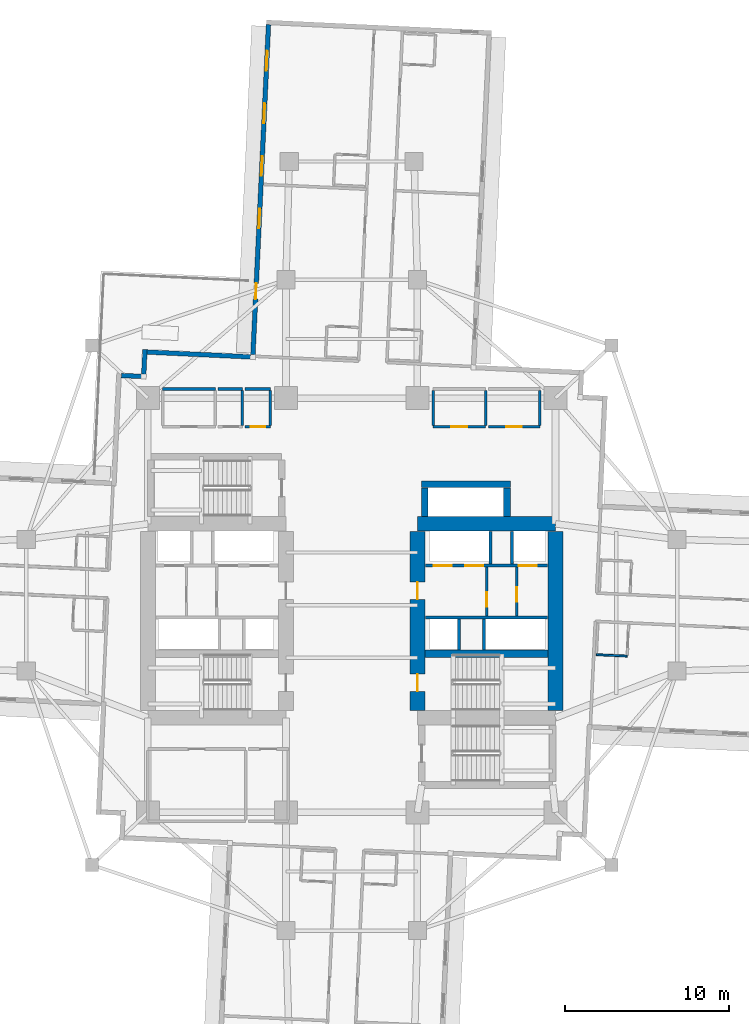
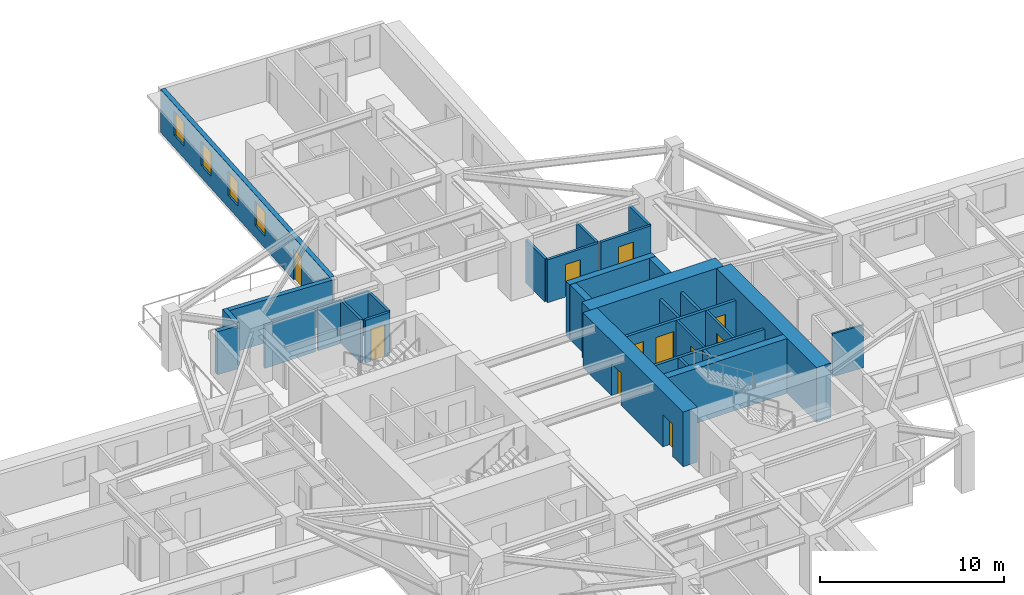
# One storey, part 6 of 13: 31 walls, 11 doors, 4 windows, 15 openings.
"""IFC4 building model written with IfcOpenShell, lengths in metres."""

from ifc_helpers import new_model, si_unit, direction, frame, frame_2d, origin, place, context, subcontext, project, spatial, rectangle, extrude, material, layer, layer_set, type_object, element, fill, save


model = new_model("IFC4")

# Units and contexts
model_context = context("Model", 3, precision=1e-05, world=origin(), true_north=direction((0.0, 1.0)))
body_context = subcontext(model_context, "Body", "Model", "MODEL_VIEW")
ifc_project = project(units=[si_unit("LENGTHUNIT", "METRE"), si_unit("AREAUNIT", "SQUARE_METRE"), si_unit("VOLUMEUNIT", "CUBIC_METRE"), si_unit("PLANEANGLEUNIT", "RADIAN"), si_unit("MASSUNIT", "GRAM", prefix="KILO")], contexts=[model_context])

# Site, building, storey
site_placement = place(None, origin())
site = spatial("IfcSite", under=ifc_project, at=site_placement, CompositionType="ELEMENT")
building_placement = place(site_placement, origin())
building = spatial("IfcBuilding", under=site, at=building_placement, Name="Qingluan Cross Belvedere", CompositionType="ELEMENT")
storey_placement = place(building_placement, frame((0.0, 0.0, 91.199951171875)))
storey = spatial("IfcBuildingStorey", under=building, at=storey_placement, Name="L23", CompositionType="ELEMENT", Elevation=91.199951171875)

# Walls
ifc_material_1 = material(Name="Concrete C50", Category="concrete")
ifc_layer_1 = layer(ifc_material_1, 0.449951171875, Name="CoreShearWall_450")
ifc_layer_set_1 = layer_set([ifc_layer_1], Name="Concrete C50")
wall_type_1 = type_object("IfcWallType", Name="CoreShearWall_450", PredefinedType="SHEAR", material=ifc_layer_set_1)
wall_1_placement = place(storey_placement, frame((4.455078125, -2.9599609375, 0.0), z_axis=(0.0, 0.0, 1.0), x_axis=(1.0, 0.0, 0.0)))
element("IfcWall", 1, at=wall_1_placement, inside=storey, type_object=wall_type_1, Name="Split core E shear wall L23-M", PredefinedType="SHEAR", context=body_context, shape_type="SweptSolid", body=[
    extrude(rectangle(XDim=7.489990234375, YDim=0.449951171875, at=frame_2d((3.7451171875, 0.0))), origin(), (0.0, 0.0, 1.0), 3.650146484375),
])
wall_2_placement = place(storey_placement, frame((4.449951171875, 5.405029296875, 0.0), z_axis=(0.0, 0.0, 1.0), x_axis=(0.0, 1.0, 0.0)))
element("IfcWall", 2, at=wall_2_placement, inside=storey, type_object=wall_type_1, Name="Express shuttle core wall L23-W", PredefinedType="SHEAR", context=body_context, shape_type="SweptSolid", body=[
    extrude(rectangle(XDim=1.73486328125, YDim=0.39990234375, at=frame_2d((0.867431640625, 0.0))), origin(), (0.0, 0.0, 1.0), 3.650146484375),
])
wall_3_placement = place(storey_placement, frame((4.25, 7.35009765625, 0.0), z_axis=(0.0, 0.0, 1.0), x_axis=(1.0, 0.0, 0.0)))
element("IfcWall", 3, at=wall_3_placement, inside=storey, type_object=wall_type_1, Name="Express shuttle core wall L23-N", PredefinedType="SHEAR", context=body_context, shape_type="SweptSolid", body=[
    extrude(rectangle(XDim=5.39990234375, YDim=0.39990234375, at=frame_2d((2.699951171875, 0.0))), origin(), (0.0, 0.0, 1.0), 3.650146484375),
])
wall_4_placement = place(storey_placement, frame((9.449951171875, 5.405029296875, 0.0), z_axis=(0.0, 0.0, 1.0), x_axis=(0.0, 1.0, 0.0)))
element("IfcWall", 4, at=wall_4_placement, inside=storey, type_object=wall_type_1, Name="Express shuttle core wall L23-E", PredefinedType="SHEAR", context=body_context, shape_type="SweptSolid", body=[
    extrude(rectangle(XDim=1.73486328125, YDim=0.39990234375, at=frame_2d((0.867431640625, 0.0))), origin(), (0.0, 0.0, 1.0), 3.650146484375),
])
ifc_material_2 = material(Name="Concrete C70", Category="concrete")
ifc_layer_2 = layer(ifc_material_2, 0.89990234375, Name="CoreShearWall_900")
ifc_layer_set_2 = layer_set([ifc_layer_2], Name="Concrete C70")
wall_type_2 = type_object("IfcWallType", Name="CoreShearWall_900", PredefinedType="SHEAR", material=ifc_layer_set_2)
wall_5_placement = place(storey_placement, frame((4.0, 4.949951171875, 0.0), z_axis=(0.0, 0.0, 1.0), x_axis=(1.0, 0.0, 0.0)))
element("IfcWall", 5, at=wall_5_placement, inside=storey, type_object=wall_type_2, Name="Split core E shear wall L23-N", PredefinedType="SHEAR", context=body_context, shape_type="SweptSolid", body=[
    extrude(rectangle(XDim=8.39990234375, YDim=0.89990234375, at=frame_2d((4.199951171875, 0.0))), origin(), (0.0, 0.0, 1.0), 3.650146484375),
])

# Wall, openings, doors
wall_6_placement = place(storey_placement, frame((4.0, -6.39501953125, 0.0), z_axis=(0.0, 0.0, 1.0), x_axis=(0.0, 1.0, 0.0)))
wall_6 = element("IfcWall", 6, at=wall_6_placement, inside=storey, type_object=wall_type_2, Name="Split core E shear wall L23-W", PredefinedType="SHEAR", context=body_context, shape_type="SweptSolid", body=[
    extrude(rectangle(XDim=10.89013671875, YDim=0.89990234375, at=frame_2d((5.445068359375, 0.0))), origin(), (0.0, 0.0, 1.0), 3.650146484375),
])
opening_1_placement = place(wall_6_placement, frame((1.14501953125, 0.0, 0.0)))
opening_1 = element("IfcOpeningElement", 7, at=opening_1_placement, cuts=wall_6, Name="Opening FD-B11", PredefinedType="OPENING", context=body_context, shape_type="SweptSolid", body=[
    extrude(rectangle(XDim=1.050048828125, YDim=2.14990234375, at=frame_2d((0.52490234375, 1.074951171875))), frame((0.0, 0.4599609375, 0.0), z_axis=(0.0, -1.0, 0.0), x_axis=(1.0, 0.0, 0.0)), (0.0, 0.0, 1.0), 0.919921875),
])
opening_2_placement = place(wall_6_placement, frame((6.7451171875, 0.0, 0.0)))
opening_2 = element("IfcOpeningElement", 8, at=opening_2_placement, cuts=wall_6, Name="Opening FD-B11", PredefinedType="OPENING", context=body_context, shape_type="SweptSolid", body=[
    extrude(rectangle(XDim=1.050048828125, YDim=2.14990234375, at=frame_2d((0.52490234375, 1.074951171875))), frame((0.0, 0.4599609375, 0.0), z_axis=(0.0, -1.0, 0.0), x_axis=(1.0, 0.0, 0.0)), (0.0, 0.0, 1.0), 0.919921875),
])
ifc_material_3 = material(Name="Steel Class B smoke-seal fire door", Category="steel")
door_type_1 = type_object("IfcDoorType", Name="StairLobbyFireDoor_FDB", OperationType="NOTDEFINED", PredefinedType="DOOR", material=ifc_material_3)
door_1_placement = place(opening_1_placement, origin())
door_1 = element("IfcDoor", 9, at=door_1_placement, inside=storey, type_object=door_type_1, Name="Smoke-proof stair ST2 fire door L23", OperationType="SINGLE_SWING_LEFT", OverallHeight=2.14990234375, OverallWidth=1.050048828125, PredefinedType="DOOR", context=body_context, shape_type="SweptSolid", body=[
    extrude(rectangle(XDim=1.050048828125, YDim=2.14990234375, at=frame_2d((0.52490234375, 1.074951171875))), frame((0.0, 0.02490234375, 0.0), z_axis=(0.0, -1.0, 0.0), x_axis=(1.0, 0.0, 0.0)), (0.0, 0.0, 1.0), 0.050048828125),
])
fill(opening_1, door_1)
door_2_placement = place(opening_2_placement, origin())
door_2 = element("IfcDoor", 10, at=door_2_placement, inside=storey, type_object=door_type_1, Name="Firefighting lobby East fire door L23", OperationType="SINGLE_SWING_LEFT", OverallHeight=2.14990234375, OverallWidth=1.050048828125, PredefinedType="DOOR", context=body_context, shape_type="SweptSolid", body=[
    extrude(rectangle(XDim=1.050048828125, YDim=2.14990234375, at=frame_2d((0.52490234375, 1.074951171875))), frame((0.0, 0.02490234375, 0.0), z_axis=(0.0, -1.0, 0.0), x_axis=(1.0, 0.0, 0.0)), (0.0, 0.0, 1.0), 0.050048828125),
])
fill(opening_2, door_2)

# Wall
wall_7_placement = place(storey_placement, frame((12.39990234375, -6.39501953125, 0.0), z_axis=(0.0, 0.0, 1.0), x_axis=(0.0, 1.0, 0.0)))
element("IfcWall", 11, at=wall_7_placement, inside=storey, type_object=wall_type_2, Name="Split core E shear wall L23-E", PredefinedType="SHEAR", context=body_context, shape_type="SweptSolid", body=[
    extrude(rectangle(XDim=10.89013671875, YDim=0.89990234375, at=frame_2d((5.445068359375, 0.0))), origin(), (0.0, 0.0, 1.0), 3.650146484375),
])

# Wall, opening, door
ifc_material_4 = material(Name="Gypsum plasterboard on steel stud acoustic partition", Category="steel")
ifc_layer_3 = layer(ifc_material_4, 0.159912109375, Name="CorridorPartition_160")
ifc_layer_set_3 = layer_set([ifc_layer_3], Name="Gypsum plasterboard on steel stud acoustic partition")
wall_type_3 = type_object("IfcWallType", Name="CorridorPartition_160", PredefinedType="PARTITIONING", material=ifc_layer_set_3)
wall_8_placement = place(storey_placement, frame((10.050048828125, -0.652099609375, 0.0), z_axis=(0.0, 0.0, 1.0), x_axis=(0.0, 1.0, 0.0)))
wall_8 = element("IfcWall", 12, at=wall_8_placement, inside=storey, type_object=wall_type_3, Name="Partition L23:ev", PredefinedType="PARTITIONING", context=body_context, shape_type="SweptSolid", body=[
    extrude(rectangle(XDim=2.962158203125, YDim=0.139892578125, at=frame_2d((1.48095703125, 0.0))), origin(), (0.0, 0.0, 1.0), 2.85009765625),
])
opening_3_placement = place(wall_8_placement, frame((0.85009765625, 0.0, 0.0)))
opening_3 = element("IfcOpeningElement", 13, at=opening_3_placement, cuts=wall_8, Name="Opening FD-B10", PredefinedType="OPENING", context=body_context, shape_type="SweptSolid", body=[
    extrude(rectangle(XDim=0.8798828125, YDim=2.10009765625, at=frame_2d((0.43994140625, 1.050048828125))), frame((0.0, 0.079833984375, 0.0), z_axis=(0.0, -1.0, 0.0), x_axis=(1.0, 0.0, 0.0)), (0.0, 0.0, 1.0), 0.159912109375),
])
ifc_material_5 = material(Name="Steel Class B service fire door", Category="steel")
door_type_2 = type_object("IfcDoorType", Name="RiserServiceFireDoor_FDB", OperationType="NOTDEFINED", PredefinedType="DOOR", material=ifc_material_5)
door_3_placement = place(opening_3_placement, origin())
door_3 = element("IfcDoor", 14, at=door_3_placement, inside=storey, type_object=door_type_2, Name="Service closet inner door L23", OperationType="SINGLE_SWING_LEFT", OverallHeight=2.10009765625, OverallWidth=0.8798828125, PredefinedType="DOOR", context=body_context, shape_type="SweptSolid", body=[
    extrude(rectangle(XDim=0.8798828125, YDim=2.10009765625, at=frame_2d((0.43994140625, 1.050048828125))), frame((0.0, 0.02490234375, 0.0), z_axis=(0.0, -1.0, 0.0), x_axis=(1.0, 0.0, 0.0)), (0.0, 0.0, 1.0), 0.050048828125),
])
fill(opening_3, door_3)

# Walls
wall_9_placement = place(storey_placement, frame((-11.5, 13.14990234375, 0.0), z_axis=(0.0, 0.0, 1.0), x_axis=(1.0, 0.0, 0.0)))
element("IfcWall", 15, at=wall_9_placement, inside=storey, type_object=wall_type_3, Name="Partition L23:q_nw_occ:N", PredefinedType="PARTITIONING", context=body_context, shape_type="SweptSolid", body=[
    extrude(rectangle(XDim=3.199951171875, YDim=0.159912109375, at=frame_2d((1.60009765625, 0.0))), origin(), (0.0, 0.0, 1.0), 2.85009765625),
])
wall_10_placement = place(storey_placement, frame((-8.139892578125, 13.14990234375, 0.0), z_axis=(0.0, 0.0, 1.0), x_axis=(1.0, 0.0, 0.0)))
element("IfcWall", 16, at=wall_10_placement, inside=storey, type_object=wall_type_3, Name="Partition L23:hk_linen:N", PredefinedType="PARTITIONING", context=body_context, shape_type="SweptSolid", body=[
    extrude(rectangle(XDim=1.489990234375, YDim=0.159912109375, at=frame_2d((0.7451171875, 0.0))), origin(), (0.0, 0.0, 1.0), 2.85009765625),
])
wall_11_placement = place(storey_placement, frame((-6.64990234375, 10.93505859375, 0.0), z_axis=(0.0, 0.0, 1.0), x_axis=(0.0, 1.0, 0.0)))
element("IfcWall", 17, at=wall_11_placement, inside=storey, type_object=wall_type_3, Name="Partition L23:hk_linen:E", PredefinedType="PARTITIONING", context=body_context, shape_type="SweptSolid", body=[
    extrude(rectangle(XDim=2.1298828125, YDim=0.159912109375, at=frame_2d((1.06494140625, 0.0))), origin(), (0.0, 0.0, 1.0), 2.85009765625),
])

# Wall, opening, door
wall_12_placement = place(storey_placement, frame((-6.489990234375, 10.85009765625, 0.0), z_axis=(0.0, 0.0, 1.0), x_axis=(1.0, 0.0, 0.0)))
wall_12 = element("IfcWall", 18, at=wall_12_placement, inside=storey, type_object=wall_type_3, Name="Partition L23:floor_acc_wc:S", PredefinedType="PARTITIONING", context=body_context, shape_type="SweptSolid", body=[
    extrude(rectangle(XDim=1.5400390625, YDim=0.159912109375, at=frame_2d((0.77001953125, 0.0))), origin(), (0.0, 0.0, 1.0), 2.85009765625),
])
opening_4_placement = place(wall_12_placement, frame((0.35009765625, 0.0, 0.0)))
opening_4 = element("IfcOpeningElement", 19, at=opening_4_placement, cuts=wall_12, Name="Opening BD-08", PredefinedType="OPENING", context=body_context, shape_type="SweptSolid", body=[
    extrude(rectangle(XDim=0.8798828125, YDim=2.14990234375, at=frame_2d((0.43994140625, 1.074951171875))), frame((0.0, 0.08984375, 0.0), z_axis=(0.0, -1.0, 0.0), x_axis=(1.0, 0.0, 0.0)), (0.0, 0.0, 1.0), 0.179931640625),
])
ifc_material_6 = material(Name="Moisture-sealed timber accessible WC door", Category="wood")
door_type_3 = type_object("IfcDoorType", Name="AccessibleWCDoor_880", OperationType="NOTDEFINED", PredefinedType="DOOR", material=ifc_material_6)
door_4_placement = place(opening_4_placement, origin())
door_4 = element("IfcDoor", 20, at=door_4_placement, inside=storey, type_object=door_type_3, Name="Accessible guest washroom L23 door", OperationType="SINGLE_SWING_RIGHT", OverallHeight=2.14990234375, OverallWidth=0.8798828125, PredefinedType="DOOR", context=body_context, shape_type="SweptSolid", body=[
    extrude(rectangle(XDim=0.8798828125, YDim=2.14990234375, at=frame_2d((0.43994140625, 1.074951171875))), frame((0.0, 0.02490234375, 0.0), z_axis=(0.0, -1.0, 0.0), x_axis=(1.0, 0.0, 0.0)), (0.0, 0.0, 1.0), 0.050048828125),
])
fill(opening_4, door_4)

# Walls
wall_13_placement = place(storey_placement, frame((-6.489990234375, 13.14990234375, 0.0), z_axis=(0.0, 0.0, 1.0), x_axis=(1.0, 0.0, 0.0)))
element("IfcWall", 21, at=wall_13_placement, inside=storey, type_object=wall_type_3, Name="Partition L23:floor_acc_wc:N", PredefinedType="PARTITIONING", context=body_context, shape_type="SweptSolid", body=[
    extrude(rectangle(XDim=1.5400390625, YDim=0.159912109375, at=frame_2d((0.77001953125, 0.0))), origin(), (0.0, 0.0, 1.0), 2.85009765625),
])
wall_14_placement = place(storey_placement, frame((-4.949951171875, 10.93505859375, 0.0), z_axis=(0.0, 0.0, 1.0), x_axis=(0.0, 1.0, 0.0)))
element("IfcWall", 22, at=wall_14_placement, inside=storey, type_object=wall_type_3, Name="Partition L23:floor_acc_wc:E", PredefinedType="PARTITIONING", context=body_context, shape_type="SweptSolid", body=[
    extrude(rectangle(XDim=2.1298828125, YDim=0.159912109375, at=frame_2d((1.06494140625, 0.0))), origin(), (0.0, 0.0, 1.0), 2.85009765625),
])

# Wall, opening, door
wall_15_placement = place(storey_placement, frame((4.949951171875, 10.85009765625, 0.0), z_axis=(0.0, 0.0, 1.0), x_axis=(1.0, 0.0, 0.0)))
wall_15 = element("IfcWall", 23, at=wall_15_placement, inside=storey, type_object=wall_type_3, Name="Partition L23:q_ne1:S", PredefinedType="PARTITIONING", context=body_context, shape_type="SweptSolid", body=[
    extrude(rectangle(XDim=3.199951171875, YDim=0.159912109375, at=frame_2d((1.60009765625, 0.0))), origin(), (0.0, 0.0, 1.0), 2.85009765625),
])
opening_5_placement = place(wall_15_placement, frame((1.1201171875, 0.0, 0.0)))
opening_5 = element("IfcOpeningElement", 24, at=opening_5_placement, cuts=wall_15, Name="Opening GD-10", PredefinedType="OPENING", context=body_context, shape_type="SweptSolid", body=[
    extrude(rectangle(XDim=0.9599609375, YDim=2.14990234375, at=frame_2d((0.47998046875, 1.074951171875))), frame((0.0, 0.08984375, 0.0), z_axis=(0.0, -1.0, 0.0), x_axis=(1.0, 0.0, 0.0)), (0.0, 0.0, 1.0), 0.179931640625),
])
ifc_material_7 = material(Name="Timber oak fire-rated acoustic guestroom door", Category="wood")
door_type_4 = type_object("IfcDoorType", Name="GuestEntryDoor_FD60", OperationType="NOTDEFINED", PredefinedType="DOOR", material=ifc_material_7)
door_5_placement = place(opening_5_placement, origin())
door_5 = element("IfcDoor", 25, at=door_5_placement, inside=storey, type_object=door_type_4, Name="Sky fitness studio L23 door", OperationType="SINGLE_SWING_LEFT", OverallHeight=2.14990234375, OverallWidth=0.9599609375, PredefinedType="DOOR", context=body_context, shape_type="SweptSolid", body=[
    extrude(rectangle(XDim=0.9599609375, YDim=2.14990234375, at=frame_2d((0.47998046875, 1.074951171875))), frame((0.0, 0.02490234375, 0.0), z_axis=(0.0, -1.0, 0.0), x_axis=(1.0, 0.0, 0.0)), (0.0, 0.0, 1.0), 0.050048828125),
])
fill(opening_5, door_5)

# Walls
for number, where, z_axis, x_axis, name in (
    (26, (4.949951171875, 10.93505859375, 0.0), (0.0, 0.0, 1.0), (0.0, 1.0, 0.0), "Partition L23:q_ne1:W"),
    (27, (8.14990234375, 10.93505859375, 0.0), (0.0, 0.0, 1.0), (0.0, 1.0, 0.0), "Partition L23:q_ne1:E"),
):
    element("IfcWall", number, at=place(storey_placement, frame(where, z_axis=z_axis, x_axis=x_axis)), inside=storey, type_object=wall_type_3, Name=name, PredefinedType="PARTITIONING", context=body_context, shape_type="SweptSolid", body=[
        extrude(rectangle(XDim=2.1298828125, YDim=0.159912109375, at=frame_2d((1.06494140625, 0.0))), origin(), (0.0, 0.0, 1.0), 2.85009765625),
    ])

# Wall, opening, door
wall_16_placement = place(storey_placement, frame((8.31005859375, 10.85009765625, 0.0), z_axis=(0.0, 0.0, 1.0), x_axis=(1.0, 0.0, 0.0)))
wall_16 = element("IfcWall", 28, at=wall_16_placement, inside=storey, type_object=wall_type_3, Name="Partition L23:q_ne2:S", PredefinedType="PARTITIONING", context=body_context, shape_type="SweptSolid", body=[
    extrude(rectangle(XDim=3.139892578125, YDim=0.159912109375, at=frame_2d((1.56982421875, 0.0))), origin(), (0.0, 0.0, 1.0), 2.85009765625),
])
opening_6_placement = place(wall_16_placement, frame((1.090087890625, 0.0, 0.0)))
opening_6 = element("IfcOpeningElement", 29, at=opening_6_placement, cuts=wall_16, Name="Opening GD-10", PredefinedType="OPENING", context=body_context, shape_type="SweptSolid", body=[
    extrude(rectangle(XDim=0.9599609375, YDim=2.14990234375, at=frame_2d((0.47998046875, 1.074951171875))), frame((0.0, 0.08984375, 0.0), z_axis=(0.0, -1.0, 0.0), x_axis=(1.0, 0.0, 0.0)), (0.0, 0.0, 1.0), 0.179931640625),
])
door_6_placement = place(opening_6_placement, origin())
door_6 = element("IfcDoor", 30, at=door_6_placement, inside=storey, type_object=door_type_4, Name="Northeast quiet study L23 door", OperationType="SINGLE_SWING_RIGHT", OverallHeight=2.14990234375, OverallWidth=0.9599609375, PredefinedType="DOOR", context=body_context, shape_type="SweptSolid", body=[
    extrude(rectangle(XDim=0.9599609375, YDim=2.14990234375, at=frame_2d((0.47998046875, 1.074951171875))), frame((0.0, 0.02490234375, 0.0), z_axis=(0.0, -1.0, 0.0), x_axis=(1.0, 0.0, 0.0)), (0.0, 0.0, 1.0), 0.050048828125),
])
fill(opening_6, door_6)

# Walls
wall_17_placement = place(storey_placement, frame((11.449951171875, 10.93505859375, 0.0), z_axis=(0.0, 0.0, 1.0), x_axis=(0.0, 1.0, 0.0)))
element("IfcWall", 31, at=wall_17_placement, inside=storey, type_object=wall_type_3, Name="Partition L23:q_ne2:E", PredefinedType="PARTITIONING", context=body_context, shape_type="SweptSolid", body=[
    extrude(rectangle(XDim=2.1298828125, YDim=0.159912109375, at=frame_2d((1.06494140625, 0.0))), origin(), (0.0, 0.0, 1.0), 2.85009765625),
])
ifc_material_8 = material(Name="Moisture-resistant gypsum board lining")
ifc_layer_4 = layer(ifc_material_8, 0.1201171875, Name="EnsuiteWetPartition_120")
ifc_layer_set_4 = layer_set([ifc_layer_4], Name="Moisture-resistant gypsum board lining")
wall_type_4 = type_object("IfcWallType", Name="EnsuiteWetPartition_120", PredefinedType="PARTITIONING", material=ifc_layer_set_4)
wall_18_placement = place(storey_placement, frame((14.884765625, -3.009521484375, 0.0), z_axis=(0.0, 0.0, 1.0), x_axis=(0.998888319371, -0.047139425368, 0.0)))
element("IfcWall", 32, at=wall_18_placement, inside=storey, type_object=wall_type_4, Name="Partition L23:E:bc1_0", PredefinedType="PARTITIONING", context=body_context, shape_type="SweptSolid", body=[
    extrude(rectangle(XDim=1.880126953125, YDim=0.1201171875, at=frame_2d((0.93994140625, 0.0))), origin(), (0.0, 0.0, 1.0), 2.85009765625),
])

# Wall, openings, windows, door
ifc_material_9 = material(Name="Precast concrete C45", Category="concrete")
ifc_layer_5 = layer(ifc_material_9, 0.280029296875, Name="PrecastFacadeWall_280")
ifc_layer_set_5 = layer_set([ifc_layer_5], Name="Precast concrete C45")
wall_type_5 = type_object("IfcWallType", Name="PrecastFacadeWall_280", PredefinedType="STANDARD", material=ifc_layer_set_5)
wall_19_placement = place(storey_placement, frame((-5.06201171875, 35.317626953125, 0.0), z_axis=(0.0, 0.0, 1.0), x_axis=(-0.047103473814, -0.998890015344, 0.0)))
wall_19 = element("IfcWall", 33, at=wall_19_placement, inside=storey, type_object=wall_type_5, Name="Facade wall L23-NB", PredefinedType="STANDARD", context=body_context, shape_type="SweptSolid", body=[
    extrude(rectangle(XDim=20.099853515625, YDim=0.280029296875, at=frame_2d((10.0498046875, 0.0))), origin(), (0.0, 0.0, 1.0), 2.860107421875),
])
opening_7_placement = place(wall_19_placement, frame((1.60009765625, 0.0, 0.800048828125)))
opening_7 = element("IfcOpeningElement", 34, at=opening_7_placement, cuts=wall_19, Name="Opening W-02", PredefinedType="OPENING", context=body_context, shape_type="SweptSolid", body=[
    extrude(rectangle(XDim=1.199951171875, YDim=1.60009765625, at=frame_2d((0.60009765625, 0.800048828125))), frame((0.0, 0.14990234375, 0.0), z_axis=(0.0, -1.0, 0.0), x_axis=(1.0, 0.0, 0.0)), (0.0, 0.0, 1.0), 0.300048828125),
])
opening_8_placement = place(wall_19_placement, frame((4.800048828125, 0.0, 0.800048828125)))
opening_8 = element("IfcOpeningElement", 35, at=opening_8_placement, cuts=wall_19, Name="Opening W-02", PredefinedType="OPENING", context=body_context, shape_type="SweptSolid", body=[
    extrude(rectangle(XDim=1.199951171875, YDim=1.60009765625, at=frame_2d((0.60009765625, 0.800048828125))), frame((0.0, 0.14990234375, 0.0), z_axis=(0.0, -1.0, 0.0), x_axis=(1.0, 0.0, 0.0)), (0.0, 0.0, 1.0), 0.300048828125),
])
opening_9_placement = place(wall_19_placement, frame((8.0, 0.0, 0.800048828125)))
opening_9 = element("IfcOpeningElement", 36, at=opening_9_placement, cuts=wall_19, Name="Opening W-02", PredefinedType="OPENING", context=body_context, shape_type="SweptSolid", body=[
    extrude(rectangle(XDim=1.199951171875, YDim=1.60009765625, at=frame_2d((0.60009765625, 0.800048828125))), frame((0.0, 0.14990234375, 0.0), z_axis=(0.0, -1.0, 0.0), x_axis=(1.0, 0.0, 0.0)), (0.0, 0.0, 1.0), 0.300048828125),
])
opening_10_placement = place(wall_19_placement, frame((11.199951171875, 0.0, 0.800048828125)))
opening_10 = element("IfcOpeningElement", 37, at=opening_10_placement, cuts=wall_19, Name="Opening W-02", PredefinedType="OPENING", context=body_context, shape_type="SweptSolid", body=[
    extrude(rectangle(XDim=1.199951171875, YDim=1.60009765625, at=frame_2d((0.60009765625, 0.800048828125))), frame((0.0, 0.14990234375, 0.0), z_axis=(0.0, -1.0, 0.0), x_axis=(1.0, 0.0, 0.0)), (0.0, 0.0, 1.0), 0.300048828125),
])
opening_11_placement = place(wall_19_placement, frame((15.75, 0.0, 0.0)))
opening_11 = element("IfcOpeningElement", 38, at=opening_11_placement, cuts=wall_19, Name="Opening WD-10", PredefinedType="OPENING", context=body_context, shape_type="SweptSolid", body=[
    extrude(rectangle(XDim=0.9599609375, YDim=2.10009765625, at=frame_2d((0.47998046875, 1.050048828125))), frame((0.0, 0.14990234375, 0.0), z_axis=(0.0, -1.0, 0.0), x_axis=(1.0, 0.0, 0.0)), (0.0, 0.0, 1.0), 0.300048828125),
])
ifc_material_10 = material(Name="Thermally broken triple Low-E glass in aluminium frame", Category="aluminium")
window_type = type_object("IfcWindowType", Name="TriRibbonWin_1200x1600", PartitioningType="SINGLE_PANEL", PredefinedType="WINDOW", material=ifc_material_10)
window_1_placement = place(opening_7_placement, origin())
window_1 = element("IfcWindow", 39, at=window_1_placement, inside=storey, type_object=window_type, Name="Ribbon window L23-NB-1", OverallHeight=1.60009765625, OverallWidth=1.199951171875, PartitioningType="SINGLE_PANEL", PredefinedType="WINDOW", context=body_context, shape_type="SweptSolid", body=[
    extrude(rectangle(XDim=1.199951171875, YDim=1.60009765625, at=frame_2d((0.60009765625, 0.800048828125))), frame((0.0, 0.030029296875, 0.0), z_axis=(0.0, -1.0, 0.0), x_axis=(1.0, 0.0, 0.0)), (0.0, 0.0, 1.0), 0.06005859375),
])
fill(opening_7, window_1)
window_2_placement = place(opening_8_placement, origin())
window_2 = element("IfcWindow", 40, at=window_2_placement, inside=storey, type_object=window_type, Name="Ribbon window L23-NB-2", OverallHeight=1.60009765625, OverallWidth=1.199951171875, PartitioningType="SINGLE_PANEL", PredefinedType="WINDOW", context=body_context, shape_type="SweptSolid", body=[
    extrude(rectangle(XDim=1.199951171875, YDim=1.60009765625, at=frame_2d((0.60009765625, 0.800048828125))), frame((0.0, 0.030029296875, 0.0), z_axis=(0.0, -1.0, 0.0), x_axis=(1.0, 0.0, 0.0)), (0.0, 0.0, 1.0), 0.06005859375),
])
fill(opening_8, window_2)
window_3_placement = place(opening_9_placement, origin())
window_3 = element("IfcWindow", 41, at=window_3_placement, inside=storey, type_object=window_type, Name="Ribbon window L23-NB-3", OverallHeight=1.60009765625, OverallWidth=1.199951171875, PartitioningType="SINGLE_PANEL", PredefinedType="WINDOW", context=body_context, shape_type="SweptSolid", body=[
    extrude(rectangle(XDim=1.199951171875, YDim=1.60009765625, at=frame_2d((0.60009765625, 0.800048828125))), frame((0.0, 0.030029296875, 0.0), z_axis=(0.0, -1.0, 0.0), x_axis=(1.0, 0.0, 0.0)), (0.0, 0.0, 1.0), 0.06005859375),
])
fill(opening_9, window_3)
window_4_placement = place(opening_10_placement, origin())
window_4 = element("IfcWindow", 42, at=window_4_placement, inside=storey, type_object=window_type, Name="Ribbon window L23-NB-4", OverallHeight=1.60009765625, OverallWidth=1.199951171875, PartitioningType="SINGLE_PANEL", PredefinedType="WINDOW", context=body_context, shape_type="SweptSolid", body=[
    extrude(rectangle(XDim=1.199951171875, YDim=1.60009765625, at=frame_2d((0.60009765625, 0.800048828125))), frame((0.0, 0.030029296875, 0.0), z_axis=(0.0, -1.0, 0.0), x_axis=(1.0, 0.0, 0.0)), (0.0, 0.0, 1.0), 0.06005859375),
])
fill(opening_10, window_4)
ifc_material_11 = material(Name="Thermally broken aluminium and Low-E glass", Category="aluminium")
door_type_5 = type_object("IfcDoorType", Name="WinterGardenDoor_096", OperationType="NOTDEFINED", PredefinedType="DOOR", material=ifc_material_11)
door_7_placement = place(opening_11_placement, origin())
door_7 = element("IfcDoor", 43, at=door_7_placement, inside=storey, type_object=door_type_5, Name="Outdoor terrace access door L23-spi", OperationType="SINGLE_SWING_LEFT", OverallHeight=2.10009765625, OverallWidth=0.9599609375, PredefinedType="DOOR", context=body_context, shape_type="SweptSolid", body=[
    extrude(rectangle(XDim=0.9599609375, YDim=2.10009765625, at=frame_2d((0.47998046875, 1.050048828125))), frame((0.0, 0.02490234375, 0.0), z_axis=(0.0, -1.0, 0.0), x_axis=(1.0, 0.0, 0.0)), (0.0, 0.0, 1.0), 0.050048828125),
])
fill(opening_11, door_7)

# Walls
wall_20_placement = place(storey_placement, frame((-14.01708984375, 13.975830078125, 0.0), z_axis=(0.0, 0.0, 1.0), x_axis=(0.998883930236, -0.047232339719, 0.0)))
element("IfcWall", 44, at=wall_20_placement, inside=storey, type_object=wall_type_5, Name="Corner wall L23-NW2", PredefinedType="STANDARD", context=body_context, shape_type="SweptSolid", body=[
    extrude(rectangle(XDim=1.219970703125, YDim=0.280029296875, at=frame_2d((0.60986328125, 0.0))), origin(), (0.0, 0.0, 1.0), 2.860107421875),
])
wall_21_placement = place(storey_placement, frame((-12.652099609375, 14.051513671875, 0.0), z_axis=(0.0, 0.0, 1.0), x_axis=(0.047039284441, 0.99889304018, 0.0)))
element("IfcWall", 45, at=wall_21_placement, inside=storey, type_object=wall_type_5, Name="Corner wall L23-NW3", PredefinedType="STANDARD", context=body_context, shape_type="SweptSolid", body=[
    extrude(rectangle(XDim=1.5, YDim=0.280029296875, at=frame_2d((0.75, 0.0))), origin(), (0.0, 0.0, 1.0), 2.860107421875),
])
wall_22_placement = place(storey_placement, frame((-12.4482421875, 15.403564453125, 0.0), z_axis=(0.0, 0.0, 1.0), x_axis=(0.998889082162, -0.047123258997, 0.0)))
element("IfcWall", 46, at=wall_22_placement, inside=storey, type_object=wall_type_5, Name="Corner wall L23-NW4", PredefinedType="STANDARD", context=body_context, shape_type="SweptSolid", body=[
    extrude(rectangle(XDim=6.300048828125, YDim=0.280029296875, at=frame_2d((3.14990234375, 0.0))), origin(), (0.0, 0.0, 1.0), 2.860107421875),
])

# Wall, openings, doors
ifc_material_12 = material(Name="Concrete C40", Category="concrete")
ifc_layer_6 = layer(ifc_material_12, 0.219970703125, Name="ShaftEnclosureWall_250")
ifc_layer_set_6 = layer_set([ifc_layer_6], Name="Concrete C40")
wall_type_6 = type_object("IfcWallType", Name="ShaftEnclosureWall_250", PredefinedType="SOLIDWALL", material=ifc_layer_set_6)
wall_23_placement = place(storey_placement, frame((4.47998046875, 2.409912109375, 0.0), z_axis=(0.0, 0.0, 1.0), x_axis=(1.0, 0.0, 0.0)))
wall_23 = element("IfcWall", 47, at=wall_23_placement, inside=storey, type_object=wall_type_6, Name="Core-E north hoistway wall L23", PredefinedType="SOLIDWALL", context=body_context, shape_type="SweptSolid", body=[
    extrude(rectangle(XDim=7.419921875, YDim=0.179931640625, at=frame_2d((3.7099609375, 0.0))), origin(), (0.0, 0.0, 1.0), 2.85009765625),
])
opening_12_placement = place(wall_23_placement, frame((5.669921875, 0.0, 0.0)))
opening_12 = element("IfcOpeningElement", 48, at=opening_12_placement, cuts=wall_23, Name="Opening LD-11", PredefinedType="OPENING", context=body_context, shape_type="SweptSolid", body=[
    extrude(rectangle(XDim=1.10009765625, YDim=2.14990234375, at=frame_2d((0.550048828125, 1.074951171875))), frame((0.0, 0.099853515625, 0.0), z_axis=(0.0, -1.0, 0.0), x_axis=(1.0, 0.0, 0.0)), (0.0, 0.0, 1.0), 0.199951171875),
])
opening_13_placement = place(wall_23_placement, frame((0.52001953125, 0.0, 0.0)))
opening_13 = element("IfcOpeningElement", 49, at=opening_13_placement, cuts=wall_23, Name="Opening LD-11", PredefinedType="OPENING", context=body_context, shape_type="SweptSolid", body=[
    extrude(rectangle(XDim=1.10009765625, YDim=2.14990234375, at=frame_2d((0.550048828125, 1.074951171875))), frame((0.0, 0.099853515625, 0.0), z_axis=(0.0, -1.0, 0.0), x_axis=(1.0, 0.0, 0.0)), (0.0, 0.0, 1.0), 0.199951171875),
])
opening_14_placement = place(wall_23_placement, frame((2.419921875, 0.0, 0.0)))
opening_14 = element("IfcOpeningElement", 50, at=opening_14_placement, cuts=wall_23, Name="Opening LD-11", PredefinedType="OPENING", context=body_context, shape_type="SweptSolid", body=[
    extrude(rectangle(XDim=1.10009765625, YDim=2.14990234375, at=frame_2d((0.550048828125, 1.074951171875))), frame((0.0, 0.099853515625, 0.0), z_axis=(0.0, -1.0, 0.0), x_axis=(1.0, 0.0, 0.0)), (0.0, 0.0, 1.0), 0.199951171875),
])
ifc_material_13 = material(Name="Brushed stainless steel centre-opening lift landing door", Category="steel")
door_type_6 = type_object("IfcDoorType", Name="LiftLandingSlidingDoor_1100", OperationType="DOUBLE_DOOR_SLIDING", PredefinedType="DOOR", material=ifc_material_13)
door_8_placement = place(opening_12_placement, origin())
door_8 = element("IfcDoor", 51, at=door_8_placement, inside=storey, type_object=door_type_6, Name="Lift landing sliding door FL2 L23", OperationType="DOUBLE_DOOR_SLIDING", OverallHeight=2.14990234375, OverallWidth=1.10009765625, PredefinedType="DOOR", context=body_context, shape_type="SweptSolid", body=[
    extrude(rectangle(XDim=1.10009765625, YDim=2.14990234375, at=frame_2d((0.550048828125, 1.074951171875))), frame((0.0, 0.02490234375, 0.0), z_axis=(0.0, -1.0, 0.0), x_axis=(1.0, 0.0, 0.0)), (0.0, 0.0, 1.0), 0.050048828125),
])
fill(opening_12, door_8)
door_9_placement = place(opening_13_placement, origin())
door_9 = element("IfcDoor", 52, at=door_9_placement, inside=storey, type_object=door_type_6, Name="Lift landing sliding door LP3 L23", OperationType="DOUBLE_DOOR_SLIDING", OverallHeight=2.14990234375, OverallWidth=1.10009765625, PredefinedType="DOOR", context=body_context, shape_type="SweptSolid", body=[
    extrude(rectangle(XDim=1.10009765625, YDim=2.14990234375, at=frame_2d((0.550048828125, 1.074951171875))), frame((0.0, 0.02490234375, 0.0), z_axis=(0.0, -1.0, 0.0), x_axis=(1.0, 0.0, 0.0)), (0.0, 0.0, 1.0), 0.050048828125),
])
fill(opening_13, door_9)
door_10_placement = place(opening_14_placement, origin())
door_10 = element("IfcDoor", 53, at=door_10_placement, inside=storey, type_object=door_type_6, Name="Lift landing sliding door LP4 L23", OperationType="DOUBLE_DOOR_SLIDING", OverallHeight=2.14990234375, OverallWidth=1.10009765625, PredefinedType="DOOR", context=body_context, shape_type="SweptSolid", body=[
    extrude(rectangle(XDim=1.10009765625, YDim=2.14990234375, at=frame_2d((0.550048828125, 1.074951171875))), frame((0.0, 0.02490234375, 0.0), z_axis=(0.0, -1.0, 0.0), x_axis=(1.0, 0.0, 0.0)), (0.0, 0.0, 1.0), 0.050048828125),
])
fill(opening_14, door_10)

# Walls
wall_24_placement = place(storey_placement, frame((4.47998046875, -0.75, 0.0), z_axis=(0.0, 0.0, 1.0), x_axis=(1.0, 0.0, 0.0)))
element("IfcWall", 54, at=wall_24_placement, inside=storey, type_object=wall_type_6, Name="Core-E mid hoistway wall L23", PredefinedType="SOLIDWALL", context=body_context, shape_type="SweptSolid", body=[
    extrude(rectangle(XDim=7.419921875, YDim=0.179931640625, at=frame_2d((3.7099609375, 0.0))), origin(), (0.0, 0.0, 1.0), 2.85009765625),
])
for number, where, z_axis, x_axis, name in (
    (55, (8.43994140625, 2.5, 0.0), (0.0, 0.0, 1.0), (0.0, 1.0, 0.0), "Hoistway enclosure divider LP4E L23"),
    (56, (9.760009765625, 2.5, 0.0), (0.0, 0.0, 1.0), (0.0, 1.0, 0.0), "Hoistway enclosure divider FL2W L23"),
):
    element("IfcWall", number, at=place(storey_placement, frame(where, z_axis=z_axis, x_axis=x_axis)), inside=storey, type_object=wall_type_6, Name=name, PredefinedType="SOLIDWALL", context=body_context, shape_type="SweptSolid", body=[
        extrude(rectangle(XDim=1.989990234375, YDim=0.179931640625, at=frame_2d((0.9951171875, 0.0))), origin(), (0.0, 0.0, 1.0), 2.85009765625),
    ])
for number, where, z_axis, x_axis, name in (
    (57, (6.5400390625, -2.72998046875, 0.0), (0.0, 0.0, 1.0), (0.0, 1.0, 0.0), "Hoistway enclosure divider LP7E L23"),
    (58, (8.06005859375, -2.72998046875, 0.0), (0.0, 0.0, 1.0), (0.0, 1.0, 0.0), "Hoistway enclosure divider LP9W L23"),
):
    element("IfcWall", number, at=place(storey_placement, frame(where, z_axis=z_axis, x_axis=x_axis)), inside=storey, type_object=wall_type_6, Name=name, PredefinedType="SOLIDWALL", context=body_context, shape_type="SweptSolid", body=[
        extrude(rectangle(XDim=1.889892578125, YDim=0.179931640625, at=frame_2d((0.94482421875, 0.0))), origin(), (0.0, 0.0, 1.0), 2.85009765625),
    ])

# Wall, opening, door
wall_25_placement = place(storey_placement, frame((8.219970703125, -0.64990234375, 0.0), z_axis=(0.0, 0.0, 1.0), x_axis=(0.0, 1.0, 0.0)))
wall_25 = element("IfcWall", 59, at=wall_25_placement, inside=storey, type_object=wall_type_6, Name="Core-E service corridor wall L23", PredefinedType="SOLIDWALL", context=body_context, shape_type="SweptSolid", body=[
    extrude(rectangle(XDim=2.9599609375, YDim=0.139892578125, at=frame_2d((1.47998046875, 0.0))), origin(), (0.0, 0.0, 1.0), 2.85009765625),
])
opening_15_placement = place(wall_25_placement, frame((0.550048828125, 0.0, 0.0)))
opening_15 = element("IfcOpeningElement", 60, at=opening_15_placement, cuts=wall_25, Name="Opening FD-B10", PredefinedType="OPENING", context=body_context, shape_type="SweptSolid", body=[
    extrude(rectangle(XDim=0.8798828125, YDim=2.10009765625, at=frame_2d((0.43994140625, 1.050048828125))), frame((0.0, 0.079833984375, 0.0), z_axis=(0.0, -1.0, 0.0), x_axis=(1.0, 0.0, 0.0)), (0.0, 0.0, 1.0), 0.159912109375),
])
door_11_placement = place(opening_15_placement, origin())
door_11 = element("IfcDoor", 61, at=door_11_placement, inside=storey, type_object=door_type_2, Name="Core-E service room door L23", OperationType="SINGLE_SWING_LEFT", OverallHeight=2.10009765625, OverallWidth=0.8798828125, PredefinedType="DOOR", context=body_context, shape_type="SweptSolid", body=[
    extrude(rectangle(XDim=0.8798828125, YDim=2.10009765625, at=frame_2d((0.43994140625, 1.050048828125))), frame((0.0, 0.02490234375, 0.0), z_axis=(0.0, -1.0, 0.0), x_axis=(1.0, 0.0, 0.0)), (0.0, 0.0, 1.0), 0.050048828125),
])
fill(opening_15, door_11)

save(model, "model.ifc")
